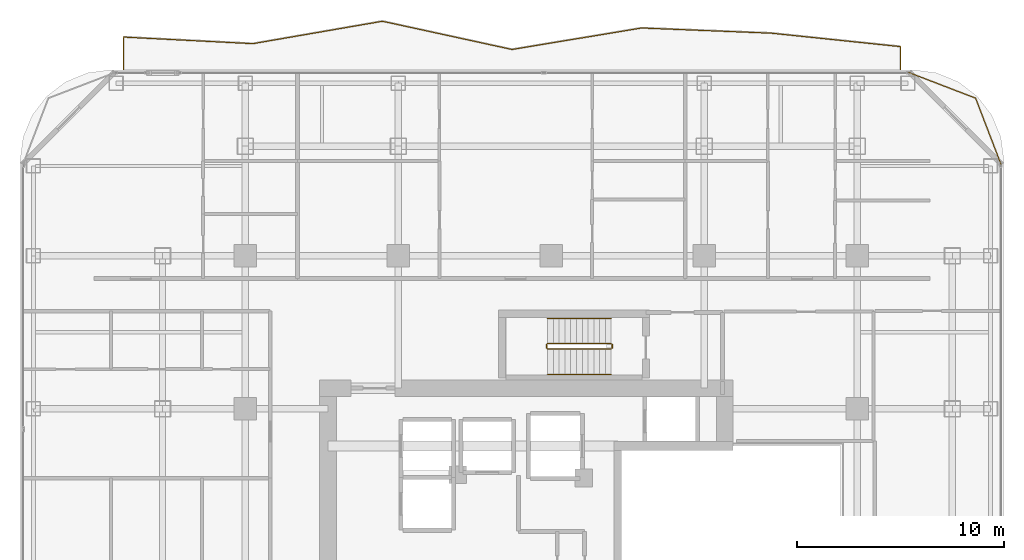
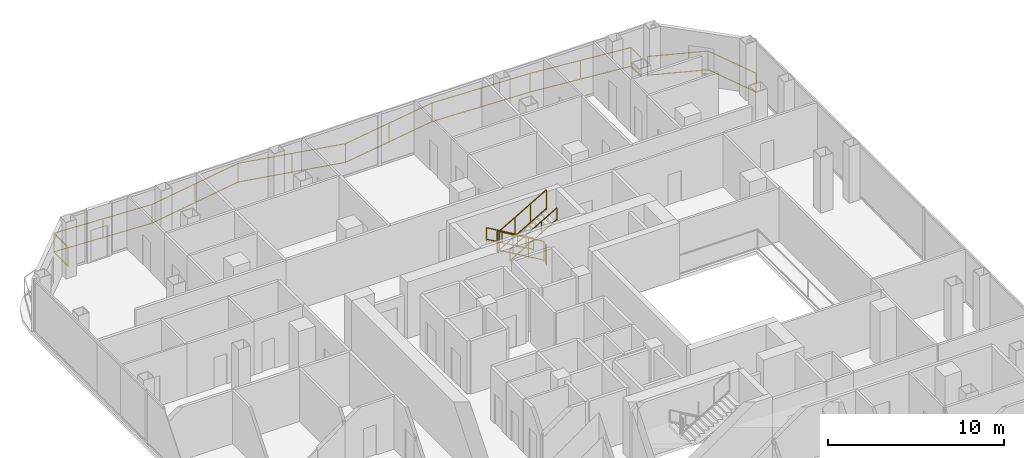
# One storey, part 27 of 27: 8 railings.
"""IFC4 building model written with IfcOpenShell, lengths in metres."""

from ifc_helpers import new_model, si_unit, direction, frame, origin, origin_2d, place, context, subcontext, project, spatial, rectangle, extrude, material, type_object, element, save


model = new_model("IFC4")

# Units and contexts
model_context = context("Model", 3, precision=1e-05, world=origin(), true_north=direction((0.0, 1.0)))
body_context = subcontext(model_context, "Body", "Model", "MODEL_VIEW")
ifc_project = project(units=[si_unit("LENGTHUNIT", "METRE"), si_unit("AREAUNIT", "SQUARE_METRE"), si_unit("VOLUMEUNIT", "CUBIC_METRE"), si_unit("PLANEANGLEUNIT", "RADIAN"), si_unit("MASSUNIT", "GRAM", prefix="KILO")], contexts=[model_context])

# Site, building, storey
site_placement = place(None, origin())
site = spatial("IfcSite", under=ifc_project, at=site_placement, CompositionType="ELEMENT")
building_placement = place(site_placement, origin())
building = spatial("IfcBuilding", under=site, at=building_placement, Name="Khorvyn Point Tower", CompositionType="ELEMENT")
storey_placement = place(building_placement, frame((0.0, 0.0, 179.699951171875)))
storey = spatial("IfcBuildingStorey", under=building, at=storey_placement, Name="L44", CompositionType="ELEMENT", Elevation=179.699951171875)

# Railings
ifc_material_1 = material(Name="Anodised aluminium 6063-T6 and laminated safety glass", Category="aluminium")
railing_type_1 = type_object("IfcRailingType", Name="Laminated Glass and Aluminium Balcony Guardrail 1400", PredefinedType="BALUSTRADE", material=ifc_material_1)
railing_1_placement = place(storey_placement, frame((21.774169921875, 19.176025390625, 0.0)))
element("IfcRailing", 1, at=railing_1_placement, inside=storey, type_object=railing_type_1, Name="L44 Rounded Corner Edge Guardrail NE", PredefinedType="BALUSTRADE", context=body_context, shape_type="SweptSolid", body=[
    extrude(rectangle(XDim=0.048095703125, YDim=0.048095703125, at=origin_2d()), frame((0.0, 0.0, 1.3759765625), z_axis=(-0.358382264808, 0.933574931257, 0.0), x_axis=(-0.933574931257, -0.358382264808, 0.0)), (0.0, 0.0, 1.0), 3.481689453125),
    extrude(rectangle(XDim=0.048095703125, YDim=0.048095703125, at=origin_2d()), frame((0.0, 0.0, 0.080078125), z_axis=(-0.358382264808, 0.933574931257, 0.0), x_axis=(-0.933574931257, -0.358382264808, 0.0)), (0.0, 0.0, 1.0), 3.481689453125),
    extrude(rectangle(XDim=0.048095703125, YDim=0.048095703125, at=origin_2d()), frame((-1.247802734375, 3.25048828125, 1.3759765625), z_axis=(-0.933598390295, 0.358321148746, 0.0), x_axis=(-0.358321148746, -0.933598390295, 0.0)), (0.0, 0.0, 1.0), 3.481689453125),
    extrude(rectangle(XDim=0.048095703125, YDim=0.048095703125, at=origin_2d()), frame((-1.247802734375, 3.25048828125, 0.080078125), z_axis=(-0.933598390295, 0.358321148746, 0.0), x_axis=(-0.358321148746, -0.933598390295, 0.0)), (0.0, 0.0, 1.0), 3.481689453125),
    extrude(rectangle(XDim=0.0419921875, YDim=0.0419921875, at=origin_2d()), origin(), (0.0, 0.0, 1.0), 1.351806640625),
    extrude(rectangle(XDim=0.0419921875, YDim=0.0419921875, at=origin_2d()), frame((-1.247802734375, 3.25048828125, 0.0)), (0.0, 0.0, 1.0), 1.351806640625),
    extrude(rectangle(XDim=0.0419921875, YDim=0.0419921875, at=origin_2d()), frame((-4.498291015625, 4.498046875, 0.0)), (0.0, 0.0, 1.0), 1.351806640625),
])
railing_2_placement = place(storey_placement, frame((16.89990234375, 23.800048828125, 0.0)))
element("IfcRailing", 2, at=railing_2_placement, inside=storey, type_object=railing_type_1, Name="L44 North Balcony Guardrail", PredefinedType="BALUSTRADE", context=body_context, shape_type="SweptSolid", body=[
    extrude(rectangle(XDim=0.048095703125, YDim=0.048095703125, at=origin_2d()), frame((0.0, 0.0, 1.3759765625), z_axis=(0.0, 1.0, 0.0), x_axis=(-1.0, 0.0, 0.0)), (0.0, 0.0, 1.0), 1.11865234375),
    extrude(rectangle(XDim=0.048095703125, YDim=0.048095703125, at=origin_2d()), frame((0.0, 0.0, 0.080078125), z_axis=(0.0, 1.0, 0.0), x_axis=(-1.0, 0.0, 0.0)), (0.0, 0.0, 1.0), 1.11865234375),
    extrude(rectangle(XDim=0.048095703125, YDim=0.048095703125, at=origin_2d()), frame((0.0, 1.11865234375, 1.3759765625), z_axis=(-0.99462938435, 0.103500665638, 0.0), x_axis=(-0.103500665638, -0.99462938435, 0.0)), (0.0, 0.0, 1.0), 6.300537109375),
    extrude(rectangle(XDim=0.048095703125, YDim=0.048095703125, at=origin_2d()), frame((0.0, 1.11865234375, 0.080078125), z_axis=(-0.99462938435, 0.103500665638, 0.0), x_axis=(-0.103500665638, -0.99462938435, 0.0)), (0.0, 0.0, 1.0), 6.300537109375),
    extrude(rectangle(XDim=0.048095703125, YDim=0.048095703125, at=origin_2d()), frame((-6.2666015625, 1.770751953125, 1.3759765625), z_axis=(-0.999209826541, 0.039745723582, 0.0), x_axis=(-0.039745723582, -0.999209826541, 0.0)), (0.0, 0.0, 1.0), 6.271484375),
    extrude(rectangle(XDim=0.048095703125, YDim=0.048095703125, at=origin_2d()), frame((-6.2666015625, 1.770751953125, 0.080078125), z_axis=(-0.999209826541, 0.039745723582, 0.0), x_axis=(-0.039745723582, -0.999209826541, 0.0)), (0.0, 0.0, 1.0), 6.271484375),
    extrude(rectangle(XDim=0.048095703125, YDim=0.048095703125, at=origin_2d()), frame((-12.533203125, 2.02001953125, 1.3759765625), z_axis=(-0.986524494659, -0.163613634633, 0.0), x_axis=(0.163613634633, -0.986524494659, 0.0)), (0.0, 0.0, 1.0), 6.352294921875),
    extrude(rectangle(XDim=0.048095703125, YDim=0.048095703125, at=origin_2d()), frame((-12.533203125, 2.02001953125, 0.080078125), z_axis=(-0.986524494659, -0.163613634633, 0.0), x_axis=(0.163613634633, -0.986524494659, 0.0)), (0.0, 0.0, 1.0), 6.352294921875),
    extrude(rectangle(XDim=0.048095703125, YDim=0.048095703125, at=origin_2d()), frame((-18.7998046875, 0.980712890625, 1.3759765625), z_axis=(-0.977051492994, 0.213003239503, 0.0), x_axis=(-0.213003239503, -0.977051492994, 0.0)), (0.0, 0.0, 1.0), 6.4140625),
    extrude(rectangle(XDim=0.048095703125, YDim=0.048095703125, at=origin_2d()), frame((-18.7998046875, 0.980712890625, 0.080078125), z_axis=(-0.977051492994, 0.213003239503, 0.0), x_axis=(-0.213003239503, -0.977051492994, 0.0)), (0.0, 0.0, 1.0), 6.4140625),
    extrude(rectangle(XDim=0.048095703125, YDim=0.048095703125, at=origin_2d()), frame((-25.066650390625, 2.346923828125, 1.3759765625), z_axis=(-0.985353979217, -0.170521364177, 0.0), x_axis=(0.170521364177, -0.985353979217, 0.0)), (0.0, 0.0, 1.0), 6.35986328125),
    extrude(rectangle(XDim=0.048095703125, YDim=0.048095703125, at=origin_2d()), frame((-25.066650390625, 2.346923828125, 0.080078125), z_axis=(-0.985353979217, -0.170521364177, 0.0), x_axis=(0.170521364177, -0.985353979217, 0.0)), (0.0, 0.0, 1.0), 6.35986328125),
    extrude(rectangle(XDim=0.048095703125, YDim=0.048095703125, at=origin_2d()), frame((-31.333251953125, 1.262451171875, 1.3759765625), z_axis=(-0.998706121207, 0.050853549183, 0.0), x_axis=(-0.050853549183, -0.998706121207, 0.0)), (0.0, 0.0, 1.0), 6.274658203125),
    extrude(rectangle(XDim=0.048095703125, YDim=0.048095703125, at=origin_2d()), frame((-31.333251953125, 1.262451171875, 0.080078125), z_axis=(-0.998706121207, 0.050853549183, 0.0), x_axis=(-0.050853549183, -0.998706121207, 0.0)), (0.0, 0.0, 1.0), 6.274658203125),
    extrude(rectangle(XDim=0.048095703125, YDim=0.048095703125, at=origin_2d()), frame((-37.599853515625, 1.58154296875, 1.3759765625), z_axis=(0.0, -1.0, 0.0), x_axis=(1.0, 0.0, 0.0)), (0.0, 0.0, 1.0), 1.58154296875),
    extrude(rectangle(XDim=0.048095703125, YDim=0.048095703125, at=origin_2d()), frame((-37.599853515625, 1.58154296875, 0.080078125), z_axis=(0.0, -1.0, 0.0), x_axis=(1.0, 0.0, 0.0)), (0.0, 0.0, 1.0), 1.58154296875),
    extrude(rectangle(XDim=0.0419921875, YDim=0.0419921875, at=origin_2d()), origin(), (0.0, 0.0, 1.0), 1.351806640625),
    extrude(rectangle(XDim=0.0419921875, YDim=0.0419921875, at=origin_2d()), frame((0.0, 1.11865234375, 0.0)), (0.0, 0.0, 1.0), 1.351806640625),
    extrude(rectangle(XDim=0.0419921875, YDim=0.0419921875, at=origin_2d()), frame((-3.13330078125, 1.44482421875, 0.0)), (0.0, 0.0, 1.0), 1.351806640625),
    extrude(rectangle(XDim=0.0419921875, YDim=0.0419921875, at=origin_2d()), frame((-6.2666015625, 1.770751953125, 0.0)), (0.0, 0.0, 1.0), 1.351806640625),
    extrude(rectangle(XDim=0.0419921875, YDim=0.0419921875, at=origin_2d()), frame((-9.39990234375, 1.8955078125, 0.0)), (0.0, 0.0, 1.0), 1.351806640625),
    extrude(rectangle(XDim=0.0419921875, YDim=0.0419921875, at=origin_2d()), frame((-12.533203125, 2.02001953125, 0.0)), (0.0, 0.0, 1.0), 1.351806640625),
    extrude(rectangle(XDim=0.0419921875, YDim=0.0419921875, at=origin_2d()), frame((-15.66650390625, 1.50048828125, 0.0)), (0.0, 0.0, 1.0), 1.351806640625),
    extrude(rectangle(XDim=0.0419921875, YDim=0.0419921875, at=origin_2d()), frame((-18.7998046875, 0.980712890625, 0.0)), (0.0, 0.0, 1.0), 1.351806640625),
    extrude(rectangle(XDim=0.0419921875, YDim=0.0419921875, at=origin_2d()), frame((-21.93310546875, 1.663818359375, 0.0)), (0.0, 0.0, 1.0), 1.351806640625),
    extrude(rectangle(XDim=0.0419921875, YDim=0.0419921875, at=origin_2d()), frame((-25.066650390625, 2.346923828125, 0.0)), (0.0, 0.0, 1.0), 1.351806640625),
    extrude(rectangle(XDim=0.0419921875, YDim=0.0419921875, at=origin_2d()), frame((-28.199951171875, 1.8046875, 0.0)), (0.0, 0.0, 1.0), 1.351806640625),
    extrude(rectangle(XDim=0.0419921875, YDim=0.0419921875, at=origin_2d()), frame((-31.333251953125, 1.262451171875, 0.0)), (0.0, 0.0, 1.0), 1.351806640625),
    extrude(rectangle(XDim=0.0419921875, YDim=0.0419921875, at=origin_2d()), frame((-34.466552734375, 1.421875, 0.0)), (0.0, 0.0, 1.0), 1.351806640625),
    extrude(rectangle(XDim=0.0419921875, YDim=0.0419921875, at=origin_2d()), frame((-37.599853515625, 1.58154296875, 0.0)), (0.0, 0.0, 1.0), 1.351806640625),
    extrude(rectangle(XDim=0.0419921875, YDim=0.0419921875, at=origin_2d()), frame((-37.599853515625, 0.0, 0.0)), (0.0, 0.0, 1.0), 1.351806640625),
])
ifc_material_2 = material(Name="Stainless steel 1.4301", Category="steel")
railing_type_2 = type_object("IfcRailingType", Name="Stainless Steel 304 Stair Pitch Handrail 900", PredefinedType="HANDRAIL", material=ifc_material_2)
railing_3_placement = place(storey_placement, frame((2.89990234375, 11.77001953125, 0.16259765625)))
element("IfcRailing", 3, at=railing_3_placement, inside=storey, type_object=railing_type_2, Name="L44 ST-02 stair handrail 1", PredefinedType="HANDRAIL", context=body_context, shape_type="SweptSolid", body=[
    extrude(rectangle(XDim=0.048095703125, YDim=0.048095703125, at=origin_2d()), frame((0.0, 0.0, 0.8759765625), z_axis=(-0.864903211148, 0.0, 0.501938676878), x_axis=(0.0, -1.0, 0.0)), (0.0, 0.0, 1.0), 3.560791015625),
    extrude(rectangle(XDim=0.048095703125, YDim=0.048095703125, at=origin_2d()), frame((0.0, 0.0, 0.080078125), z_axis=(-0.864903211148, 0.0, 0.501938676878), x_axis=(0.0, -1.0, 0.0)), (0.0, 0.0, 1.0), 3.560791015625),
    extrude(rectangle(XDim=0.0419921875, YDim=0.0419921875, at=origin_2d()), origin(), (0.0, 0.0, 1.0), 0.851806640625),
    extrude(rectangle(XDim=0.0419921875, YDim=0.0419921875, at=origin_2d()), frame((-1.026611328125, 0.0, 0.595703125)), (0.0, 0.0, 1.0), 0.851806640625),
    extrude(rectangle(XDim=0.0419921875, YDim=0.0419921875, at=origin_2d()), frame((-2.05322265625, 0.0, 1.191650390625)), (0.0, 0.0, 1.0), 0.851806640625),
    extrude(rectangle(XDim=0.0419921875, YDim=0.0419921875, at=origin_2d()), frame((-3.079833984375, 0.0, 1.787353515625)), (0.0, 0.0, 1.0), 0.851806640625),
])
railing_4_placement = place(storey_placement, frame((-0.179931640625, 9.070068359375, 2.112548828125)))
element("IfcRailing", 4, at=railing_4_placement, inside=storey, type_object=railing_type_2, Name="L44 ST-02 stair handrail 2", PredefinedType="HANDRAIL", context=body_context, shape_type="SweptSolid", body=[
    extrude(rectangle(XDim=0.048095703125, YDim=0.048095703125, at=origin_2d()), frame((0.0, 0.0, 0.8759765625), z_axis=(0.864873446163, 0.0, 0.501989962173), x_axis=(0.0, 1.0, 0.0)), (0.0, 0.0, 1.0), 3.56103515625),
    extrude(rectangle(XDim=0.048095703125, YDim=0.048095703125, at=origin_2d()), frame((0.0, 0.0, 0.080078125), z_axis=(0.864873446163, 0.0, 0.501989962173), x_axis=(0.0, 1.0, 0.0)), (0.0, 0.0, 1.0), 3.56103515625),
    extrude(rectangle(XDim=0.0419921875, YDim=0.0419921875, at=origin_2d()), origin(), (0.0, 0.0, 1.0), 0.851806640625),
    extrude(rectangle(XDim=0.0419921875, YDim=0.0419921875, at=origin_2d()), frame((1.026611328125, 0.0, 0.595947265625)), (0.0, 0.0, 1.0), 0.851806640625),
    extrude(rectangle(XDim=0.0419921875, YDim=0.0419921875, at=origin_2d()), frame((2.05322265625, 0.0, 1.191650390625)), (0.0, 0.0, 1.0), 0.851806640625),
    extrude(rectangle(XDim=0.0419921875, YDim=0.0419921875, at=origin_2d()), frame((3.079833984375, 0.0, 1.78759765625)), (0.0, 0.0, 1.0), 0.851806640625),
])
railing_type_3 = type_object("IfcRailingType", Name="Stainless Steel 304 Stair Well Guardrail 1400", PredefinedType="GUARDRAIL", material=ifc_material_2)
railing_5_placement = place(storey_placement, frame((2.89990234375, 10.550048828125, 0.16259765625)))
element("IfcRailing", 5, at=railing_5_placement, inside=storey, type_object=railing_type_3, Name="L44 ST-02 stair guard 1", PredefinedType="GUARDRAIL", context=body_context, shape_type="SweptSolid", body=[
    extrude(rectangle(XDim=0.048095703125, YDim=0.048095703125, at=origin_2d()), frame((0.0, 0.0, 1.3759765625), z_axis=(-0.864903211148, 0.0, 0.501938676878), x_axis=(0.0, -1.0, 0.0)), (0.0, 0.0, 1.0), 3.560791015625),
    extrude(rectangle(XDim=0.048095703125, YDim=0.048095703125, at=origin_2d()), frame((0.0, 0.0, 0.080078125), z_axis=(-0.864903211148, 0.0, 0.501938676878), x_axis=(0.0, -1.0, 0.0)), (0.0, 0.0, 1.0), 3.560791015625),
    extrude(rectangle(XDim=0.0419921875, YDim=0.0419921875, at=origin_2d()), origin(), (0.0, 0.0, 1.0), 1.351806640625),
    extrude(rectangle(XDim=0.0419921875, YDim=0.0419921875, at=origin_2d()), frame((-1.026611328125, 0.0, 0.595703125)), (0.0, 0.0, 1.0), 1.351806640625),
    extrude(rectangle(XDim=0.0419921875, YDim=0.0419921875, at=origin_2d()), frame((-2.05322265625, 0.0, 1.191650390625)), (0.0, 0.0, 1.0), 1.351806640625),
    extrude(rectangle(XDim=0.0419921875, YDim=0.0419921875, at=origin_2d()), frame((-3.079833984375, 0.0, 1.787353515625)), (0.0, 0.0, 1.0), 1.351806640625),
])
railing_6_placement = place(storey_placement, frame((-0.22998046875, 10.5, 1.949951171875)))
element("IfcRailing", 6, at=railing_6_placement, inside=storey, type_object=railing_type_3, Name="L44 ST-02 stair guard 2", PredefinedType="GUARDRAIL", context=body_context, shape_type="SweptSolid", body=[
    extrude(rectangle(XDim=0.048095703125, YDim=0.048095703125, at=origin_2d()), frame((0.0, 0.0, 1.3759765625), z_axis=(0.0, -1.0, 0.0), x_axis=(1.0, 0.0, 0.0)), (0.0, 0.0, 1.0), 0.159912109375),
    extrude(rectangle(XDim=0.048095703125, YDim=0.048095703125, at=origin_2d()), frame((0.0, 0.0, 0.080078125), z_axis=(0.0, -1.0, 0.0), x_axis=(1.0, 0.0, 0.0)), (0.0, 0.0, 1.0), 0.159912109375),
    extrude(rectangle(XDim=0.0419921875, YDim=0.0419921875, at=origin_2d()), origin(), (0.0, 0.0, 1.0), 1.351806640625),
    extrude(rectangle(XDim=0.0419921875, YDim=0.0419921875, at=origin_2d()), frame((0.0, -0.159912109375, 0.0)), (0.0, 0.0, 1.0), 1.351806640625),
])
railing_7_placement = place(storey_placement, frame((-0.179931640625, 10.2900390625, 2.112548828125)))
element("IfcRailing", 7, at=railing_7_placement, inside=storey, type_object=railing_type_3, Name="L44 ST-02 stair guard 3", PredefinedType="GUARDRAIL", context=body_context, shape_type="SweptSolid", body=[
    extrude(rectangle(XDim=0.048095703125, YDim=0.048095703125, at=origin_2d()), frame((0.0, 0.0, 1.3759765625), z_axis=(0.864873446163, 0.0, 0.501989962173), x_axis=(0.0, 1.0, 0.0)), (0.0, 0.0, 1.0), 3.56103515625),
    extrude(rectangle(XDim=0.048095703125, YDim=0.048095703125, at=origin_2d()), frame((0.0, 0.0, 0.080078125), z_axis=(0.864873446163, 0.0, 0.501989962173), x_axis=(0.0, 1.0, 0.0)), (0.0, 0.0, 1.0), 3.56103515625),
    extrude(rectangle(XDim=0.0419921875, YDim=0.0419921875, at=origin_2d()), origin(), (0.0, 0.0, 1.0), 1.351806640625),
    extrude(rectangle(XDim=0.0419921875, YDim=0.0419921875, at=origin_2d()), frame((1.026611328125, 0.0, 0.595947265625)), (0.0, 0.0, 1.0), 1.351806640625),
    extrude(rectangle(XDim=0.0419921875, YDim=0.0419921875, at=origin_2d()), frame((2.05322265625, 0.0, 1.191650390625)), (0.0, 0.0, 1.0), 1.351806640625),
    extrude(rectangle(XDim=0.0419921875, YDim=0.0419921875, at=origin_2d()), frame((3.079833984375, 0.0, 1.78759765625)), (0.0, 0.0, 1.0), 1.351806640625),
])
railing_8_placement = place(storey_placement, frame((2.949951171875, 10.5, 0.0)))
element("IfcRailing", 8, at=railing_8_placement, inside=storey, type_object=railing_type_3, Name="L44 ST-02 stair guard 4", PredefinedType="GUARDRAIL", context=body_context, shape_type="SweptSolid", body=[
    extrude(rectangle(XDim=0.048095703125, YDim=0.048095703125, at=origin_2d()), frame((0.0, 0.0, 1.3759765625), z_axis=(0.0, -1.0, 0.0), x_axis=(1.0, 0.0, 0.0)), (0.0, 0.0, 1.0), 0.159912109375),
    extrude(rectangle(XDim=0.048095703125, YDim=0.048095703125, at=origin_2d()), frame((0.0, 0.0, 0.080078125), z_axis=(0.0, -1.0, 0.0), x_axis=(1.0, 0.0, 0.0)), (0.0, 0.0, 1.0), 0.159912109375),
    extrude(rectangle(XDim=0.0419921875, YDim=0.0419921875, at=origin_2d()), origin(), (0.0, 0.0, 1.0), 1.351806640625),
    extrude(rectangle(XDim=0.0419921875, YDim=0.0419921875, at=origin_2d()), frame((0.0, -0.159912109375, 0.0)), (0.0, 0.0, 1.0), 1.351806640625),
])

save(model, "model.ifc")
